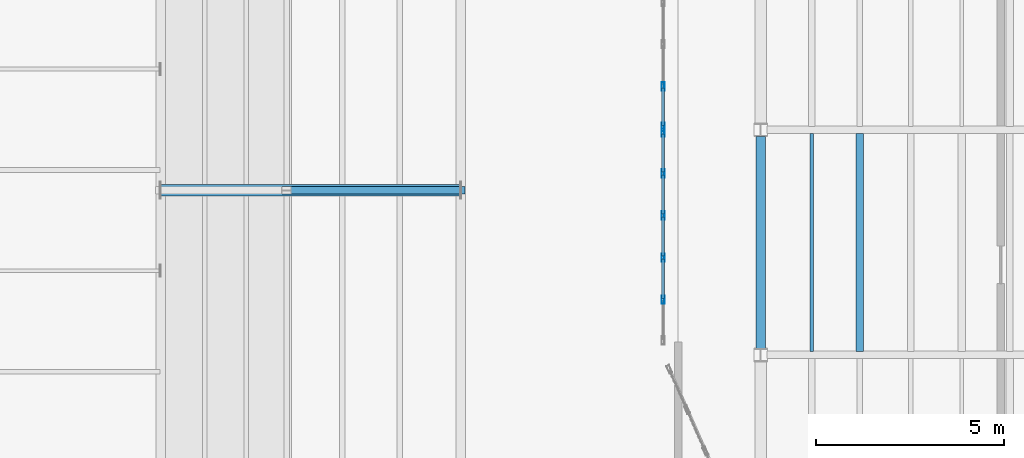
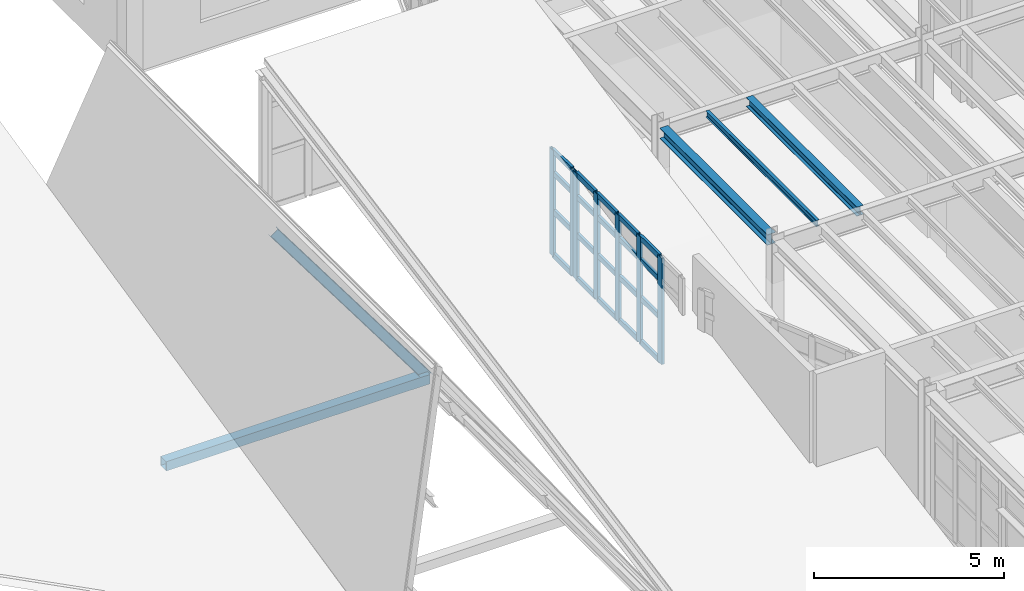
# One storey, part 32 of 77: 29 members, 3 beams, 2 elements without a shape of their own.
"""IFC4 building model written with IfcOpenShell, lengths in metres."""

from ifc_helpers import new_model, si_unit, direction, frame, origin, origin_2d, place, context, subcontext, project, spatial, hollow_rectangle, i_section, extrude, material, material_profile, profile_set, type_object, element, aggregate, save


model = new_model("IFC4")

# Units and contexts
model_context = context("Model", 3, precision=1e-05, world=origin(), true_north=direction((0.0, 1.0)))
body_context = subcontext(model_context, "Body", "Model", "MODEL_VIEW")
ifc_project = project(units=[si_unit("LENGTHUNIT", "METRE"), si_unit("AREAUNIT", "SQUARE_METRE"), si_unit("VOLUMEUNIT", "CUBIC_METRE"), si_unit("PLANEANGLEUNIT", "RADIAN"), si_unit("MASSUNIT", "GRAM", prefix="KILO"), si_unit("THERMODYNAMICTEMPERATUREUNIT", "KELVIN"), si_unit("POWERUNIT", "WATT")], contexts=[model_context])

# Site, building, storey
site_placement = place(None, origin())
site = spatial("IfcSite", under=ifc_project, at=site_placement, CompositionType="ELEMENT")
building_placement = place(site_placement, origin())
building = spatial("IfcBuilding", under=site, at=building_placement, Name="Zhenchuan Central Fire Station", CompositionType="ELEMENT")
storey_placement = place(building_placement, frame((0.0, 0.0, 10.050048828125)))
storey = spatial("IfcBuildingStorey", under=building, at=storey_placement, Name="L03", CompositionType="ELEMENT", Elevation=10.050048828125)

# Beam
ifc_material_1 = material(Name="Steel Q355B", Category="steel")
ifc_material_profile_1 = material_profile(ifc_material_1, i_section(OverallWidth=0.25, OverallDepth=0.340087890625, WebThickness=0.009033203125, FlangeThickness=0.013916015625, FilletRadius=0.01806640625, at=origin_2d()), Name="HM 340x250")
ifc_profile_set_1 = profile_set([ifc_material_profile_1], Name="Steel Q355B")
beam_type_1 = type_object("IfcBeamType", Name="BM-HM340", PredefinedType="BEAM", material=ifc_profile_set_1)
beam_1_placement = place(storey_placement, frame((140.0, 22.675048828125, 3.829833984375), z_axis=(0.0, 1.0, 0.0), x_axis=(-1.0, 0.0, 0.0)))
element("IfcBeam", 1, at=beam_1_placement, inside=storey, type_object=beam_type_1, Name="L04 Girder NS 0405", PredefinedType="BEAM", context=body_context, shape_type="SweptSolid", body=[
    extrude(i_section(OverallWidth=0.25, OverallDepth=0.340087890625, WebThickness=0.009033203125, FlangeThickness=0.013916015625, FilletRadius=0.01806640625, at=origin_2d()), origin(), (0.0, 0.0, 1.0), 5.64990234375),
])

# Curtain wall, members
ifc_material_2 = material(Name="Anodised aluminium and low-E glazing", Category="aluminium")
curtain_wall_type_1 = type_object("IfcCurtainWallType", Name="CW-MOD-16", PredefinedType="USERDEFINED", material=ifc_material_2)
curtain_wall_1_placement = place(storey_placement, origin())
curtain_wall_1 = element("IfcCurtainWall", 2, at=curtain_wall_1_placement, inside=storey, type_object=curtain_wall_type_1, Name="L03 Unitised Curtain Wall 119", ObjectType="UNITISED GLAZING", PredefinedType="USERDEFINED")
ifc_material_3 = material(Name="Anodised aluminium EN AW-6063", Category="aluminium")
ifc_material_profile_2 = material_profile(ifc_material_3, hollow_rectangle(XDim=0.080078125, YDim=0.219970703125, WallThickness=0.005615234375, at=origin_2d()), Name="ALU-M 220x80")
ifc_profile_set_2 = profile_set([ifc_material_profile_2], Name="Anodised aluminium EN AW-6063")
member_type_1 = type_object("IfcMemberType", Name="CW-MUL200", PredefinedType="MULLION", material=ifc_profile_set_2)
member_1_placement = place(storey_placement, frame((137.39990234375, 23.972412109375, -0.004150390625), z_axis=(0.0, 0.0, 1.0), x_axis=(-1.0, 0.0, 0.0)))
member_1 = element("IfcMember", 3, at=member_1_placement, type_object=member_type_1, Name="CW-16 mullion 2", PredefinedType="MULLION", context=body_context, shape_type="SweptSolid", body=[
    extrude(hollow_rectangle(XDim=0.080078125, YDim=0.219970703125, WallThickness=0.005615234375, at=origin_2d()), origin(), (0.0, 0.0, 1.0), 3.404052734375),
])
member_2_placement = place(storey_placement, frame((137.39990234375, 25.0947265625, -0.004150390625), z_axis=(0.0, 0.0, 1.0), x_axis=(-1.0, 0.0, 0.0)))
member_2 = element("IfcMember", 4, at=member_2_placement, type_object=member_type_1, Name="CW-16 mullion 3", PredefinedType="MULLION", context=body_context, shape_type="SweptSolid", body=[
    extrude(hollow_rectangle(XDim=0.080078125, YDim=0.219970703125, WallThickness=0.005615234375, at=origin_2d()), origin(), (0.0, 0.0, 1.0), 3.404052734375),
])
member_3_placement = place(storey_placement, frame((137.39990234375, 26.21728515625, -0.004150390625), z_axis=(0.0, 0.0, 1.0), x_axis=(-1.0, 0.0, 0.0)))
member_3 = element("IfcMember", 5, at=member_3_placement, type_object=member_type_1, Name="CW-16 mullion 4", PredefinedType="MULLION", context=body_context, shape_type="SweptSolid", body=[
    extrude(hollow_rectangle(XDim=0.080078125, YDim=0.219970703125, WallThickness=0.005615234375, at=origin_2d()), origin(), (0.0, 0.0, 1.0), 3.404052734375),
])
member_4_placement = place(storey_placement, frame((137.39990234375, 27.339599609375, -0.004150390625), z_axis=(0.0, 0.0, 1.0), x_axis=(-1.0, 0.0, 0.0)))
member_4 = element("IfcMember", 6, at=member_4_placement, type_object=member_type_1, Name="CW-16 mullion 5", PredefinedType="MULLION", context=body_context, shape_type="SweptSolid", body=[
    extrude(hollow_rectangle(XDim=0.080078125, YDim=0.219970703125, WallThickness=0.005615234375, at=origin_2d()), origin(), (0.0, 0.0, 1.0), 3.404052734375),
])
member_5_placement = place(storey_placement, frame((137.39990234375, 28.424560546875, -0.004150390625), z_axis=(0.0, 0.0, 1.0), x_axis=(-1.0, 0.0, 0.0)))
member_5 = element("IfcMember", 7, at=member_5_placement, type_object=member_type_1, Name="CW-16 mullion 6", PredefinedType="MULLION", context=body_context, shape_type="SweptSolid", body=[
    extrude(hollow_rectangle(XDim=0.080078125, YDim=0.219970703125, WallThickness=0.005615234375, at=origin_2d()), origin(), (0.0, 0.0, 1.0), 3.404052734375),
])

curtain_wall_type_2 = type_object("IfcCurtainWallType", Name="CW-MOD-17", PredefinedType="USERDEFINED", material=ifc_material_2)
curtain_wall_2_placement = place(storey_placement, origin())
curtain_wall_2 = element("IfcCurtainWall", 8, at=curtain_wall_2_placement, inside=storey, type_object=curtain_wall_type_2, Name="L03 Unitised Curtain Wall 120", ObjectType="UNITISED GLAZING", PredefinedType="USERDEFINED")
member_6_placement = place(storey_placement, frame((137.39990234375, 28.575439453125, -0.004150390625), z_axis=(0.0, 0.0, 1.0), x_axis=(-1.0, 0.0, 0.0)))
member_6 = element("IfcMember", 9, at=member_6_placement, type_object=member_type_1, Name="CW-17 mullion 1", PredefinedType="MULLION", context=body_context, shape_type="SweptSolid", body=[
    extrude(hollow_rectangle(XDim=0.080078125, YDim=0.219970703125, WallThickness=0.005615234375, at=origin_2d()), origin(), (0.0, 0.0, 1.0), 3.404052734375),
])
member_7_placement = place(storey_placement, frame((137.39990234375, 29.660400390625, -0.004150390625), z_axis=(0.0, 0.0, 1.0), x_axis=(-1.0, 0.0, 0.0)))
member_7 = element("IfcMember", 10, at=member_7_placement, type_object=member_type_1, Name="CW-17 mullion 2", PredefinedType="MULLION", context=body_context, shape_type="SweptSolid", body=[
    extrude(hollow_rectangle(XDim=0.080078125, YDim=0.219970703125, WallThickness=0.005615234375, at=origin_2d()), origin(), (0.0, 0.0, 1.0), 3.404052734375),
])

# Member
ifc_material_profile_3 = material_profile(ifc_material_3, hollow_rectangle(XDim=0.080078125, YDim=0.1650390625, WallThickness=0.0048828125, at=origin_2d()), Name="ALU-T 165x80")
ifc_profile_set_3 = profile_set([ifc_material_profile_3], Name="Anodised aluminium EN AW-6063")
member_type_2 = type_object("IfcMemberType", Name="CW-TRN150", PredefinedType="NOTDEFINED", material=ifc_profile_set_3)
member_8_placement = place(storey_placement, frame((137.39990234375, 24.010009765625, 0.033447265625), z_axis=(0.0, 1.0, 0.0), x_axis=(-1.0, 0.0, 0.0)))
member_8 = element("IfcMember", 11, at=member_8_placement, type_object=member_type_2, Name="CW-16 transom 2.1", ObjectType="TRANSOM", PredefinedType="USERDEFINED", context=body_context, shape_type="SweptSolid", body=[
    extrude(hollow_rectangle(XDim=0.080078125, YDim=0.1650390625, WallThickness=0.0048828125, at=origin_2d()), origin(), (0.0, 0.0, 1.0), 1.04736328125),
])

member_9_placement = place(storey_placement, frame((137.39990234375, 24.010009765625, 1.427978515625), z_axis=(0.0, 1.0, 0.0), x_axis=(-1.0, 0.0, 0.0)))
member_9 = element("IfcMember", 12, at=member_9_placement, type_object=member_type_2, Name="CW-16 transom 2.2", ObjectType="TRANSOM", PredefinedType="USERDEFINED", context=body_context, shape_type="SweptSolid", body=[
    extrude(hollow_rectangle(XDim=0.080078125, YDim=0.1650390625, WallThickness=0.0048828125, at=origin_2d()), origin(), (0.0, 0.0, 1.0), 1.04736328125),
])

member_10_placement = place(storey_placement, frame((137.39990234375, 24.010009765625, 2.65185546875), z_axis=(0.0, 1.0, 0.0), x_axis=(-1.0, 0.0, 0.0)))
member_10 = element("IfcMember", 13, at=member_10_placement, type_object=member_type_2, Name="CW-16 transom 2.3", ObjectType="TRANSOM", PredefinedType="USERDEFINED", context=body_context, shape_type="SweptSolid", body=[
    extrude(hollow_rectangle(XDim=0.080078125, YDim=0.1650390625, WallThickness=0.0048828125, at=origin_2d()), origin(), (0.0, 0.0, 1.0), 1.04736328125),
])

member_11_placement = place(storey_placement, frame((137.39990234375, 24.010009765625, 3.362548828125), z_axis=(0.0, 1.0, 0.0), x_axis=(-1.0, 0.0, 0.0)))
member_11 = element("IfcMember", 14, at=member_11_placement, type_object=member_type_2, Name="CW-16 transom 2.4", ObjectType="TRANSOM", PredefinedType="USERDEFINED", context=body_context, shape_type="SweptSolid", body=[
    extrude(hollow_rectangle(XDim=0.080078125, YDim=0.1650390625, WallThickness=0.0048828125, at=origin_2d()), origin(), (0.0, 0.0, 1.0), 1.04736328125),
])

member_12_placement = place(storey_placement, frame((137.39990234375, 25.13232421875, 0.033447265625), z_axis=(0.0, 1.0, 0.0), x_axis=(-1.0, 0.0, 0.0)))
member_12 = element("IfcMember", 15, at=member_12_placement, type_object=member_type_2, Name="CW-16 transom 3.1", ObjectType="TRANSOM", PredefinedType="USERDEFINED", context=body_context, shape_type="SweptSolid", body=[
    extrude(hollow_rectangle(XDim=0.080078125, YDim=0.1650390625, WallThickness=0.0048828125, at=origin_2d()), origin(), (0.0, 0.0, 1.0), 1.04736328125),
])

member_13_placement = place(storey_placement, frame((137.39990234375, 25.13232421875, 1.427978515625), z_axis=(0.0, 1.0, 0.0), x_axis=(-1.0, 0.0, 0.0)))
member_13 = element("IfcMember", 16, at=member_13_placement, type_object=member_type_2, Name="CW-16 transom 3.2", ObjectType="TRANSOM", PredefinedType="USERDEFINED", context=body_context, shape_type="SweptSolid", body=[
    extrude(hollow_rectangle(XDim=0.080078125, YDim=0.1650390625, WallThickness=0.0048828125, at=origin_2d()), origin(), (0.0, 0.0, 1.0), 1.04736328125),
])

member_14_placement = place(storey_placement, frame((137.39990234375, 25.13232421875, 2.65185546875), z_axis=(0.0, 1.0, 0.0), x_axis=(-1.0, 0.0, 0.0)))
member_14 = element("IfcMember", 17, at=member_14_placement, type_object=member_type_2, Name="CW-16 transom 3.3", ObjectType="TRANSOM", PredefinedType="USERDEFINED", context=body_context, shape_type="SweptSolid", body=[
    extrude(hollow_rectangle(XDim=0.080078125, YDim=0.1650390625, WallThickness=0.0048828125, at=origin_2d()), origin(), (0.0, 0.0, 1.0), 1.04736328125),
])

member_15_placement = place(storey_placement, frame((137.39990234375, 25.13232421875, 3.362548828125), z_axis=(0.0, 1.0, 0.0), x_axis=(-1.0, 0.0, 0.0)))
member_15 = element("IfcMember", 18, at=member_15_placement, type_object=member_type_2, Name="CW-16 transom 3.4", ObjectType="TRANSOM", PredefinedType="USERDEFINED", context=body_context, shape_type="SweptSolid", body=[
    extrude(hollow_rectangle(XDim=0.080078125, YDim=0.1650390625, WallThickness=0.0048828125, at=origin_2d()), origin(), (0.0, 0.0, 1.0), 1.04736328125),
])

member_16_placement = place(storey_placement, frame((137.39990234375, 26.254638671875, 0.033447265625), z_axis=(0.0, 1.0, 0.0), x_axis=(-1.0, 0.0, 0.0)))
member_16 = element("IfcMember", 19, at=member_16_placement, type_object=member_type_2, Name="CW-16 transom 4.1", ObjectType="TRANSOM", PredefinedType="USERDEFINED", context=body_context, shape_type="SweptSolid", body=[
    extrude(hollow_rectangle(XDim=0.080078125, YDim=0.1650390625, WallThickness=0.0048828125, at=origin_2d()), origin(), (0.0, 0.0, 1.0), 1.04736328125),
])

member_17_placement = place(storey_placement, frame((137.39990234375, 26.254638671875, 1.427978515625), z_axis=(0.0, 1.0, 0.0), x_axis=(-1.0, 0.0, 0.0)))
member_17 = element("IfcMember", 20, at=member_17_placement, type_object=member_type_2, Name="CW-16 transom 4.2", ObjectType="TRANSOM", PredefinedType="USERDEFINED", context=body_context, shape_type="SweptSolid", body=[
    extrude(hollow_rectangle(XDim=0.080078125, YDim=0.1650390625, WallThickness=0.0048828125, at=origin_2d()), origin(), (0.0, 0.0, 1.0), 1.04736328125),
])

member_18_placement = place(storey_placement, frame((137.39990234375, 26.254638671875, 2.65185546875), z_axis=(0.0, 1.0, 0.0), x_axis=(-1.0, 0.0, 0.0)))
member_18 = element("IfcMember", 21, at=member_18_placement, type_object=member_type_2, Name="CW-16 transom 4.3", ObjectType="TRANSOM", PredefinedType="USERDEFINED", context=body_context, shape_type="SweptSolid", body=[
    extrude(hollow_rectangle(XDim=0.080078125, YDim=0.1650390625, WallThickness=0.0048828125, at=origin_2d()), origin(), (0.0, 0.0, 1.0), 1.04736328125),
])

member_19_placement = place(storey_placement, frame((137.39990234375, 26.254638671875, 3.362548828125), z_axis=(0.0, 1.0, 0.0), x_axis=(-1.0, 0.0, 0.0)))
member_19 = element("IfcMember", 22, at=member_19_placement, type_object=member_type_2, Name="CW-16 transom 4.4", ObjectType="TRANSOM", PredefinedType="USERDEFINED", context=body_context, shape_type="SweptSolid", body=[
    extrude(hollow_rectangle(XDim=0.080078125, YDim=0.1650390625, WallThickness=0.0048828125, at=origin_2d()), origin(), (0.0, 0.0, 1.0), 1.04736328125),
])

member_20_placement = place(storey_placement, frame((137.39990234375, 27.377197265625, 0.033447265625), z_axis=(0.0, 1.0, 0.0), x_axis=(-1.0, 0.0, 0.0)))
member_20 = element("IfcMember", 23, at=member_20_placement, type_object=member_type_2, Name="CW-16 transom 5.1", ObjectType="TRANSOM", PredefinedType="USERDEFINED", context=body_context, shape_type="SweptSolid", body=[
    extrude(hollow_rectangle(XDim=0.080078125, YDim=0.1650390625, WallThickness=0.0048828125, at=origin_2d()), origin(), (0.0, 0.0, 1.0), 1.009765625),
])

member_21_placement = place(storey_placement, frame((137.39990234375, 27.377197265625, 1.427978515625), z_axis=(0.0, 1.0, 0.0), x_axis=(-1.0, 0.0, 0.0)))
member_21 = element("IfcMember", 24, at=member_21_placement, type_object=member_type_2, Name="CW-16 transom 5.2", ObjectType="TRANSOM", PredefinedType="USERDEFINED", context=body_context, shape_type="SweptSolid", body=[
    extrude(hollow_rectangle(XDim=0.080078125, YDim=0.1650390625, WallThickness=0.0048828125, at=origin_2d()), origin(), (0.0, 0.0, 1.0), 1.009765625),
])

member_22_placement = place(storey_placement, frame((137.39990234375, 27.377197265625, 2.65185546875), z_axis=(0.0, 1.0, 0.0), x_axis=(-1.0, 0.0, 0.0)))
member_22 = element("IfcMember", 25, at=member_22_placement, type_object=member_type_2, Name="CW-16 transom 5.3", ObjectType="TRANSOM", PredefinedType="USERDEFINED", context=body_context, shape_type="SweptSolid", body=[
    extrude(hollow_rectangle(XDim=0.080078125, YDim=0.1650390625, WallThickness=0.0048828125, at=origin_2d()), origin(), (0.0, 0.0, 1.0), 1.009765625),
])

member_23_placement = place(storey_placement, frame((137.39990234375, 27.377197265625, 3.362548828125), z_axis=(0.0, 1.0, 0.0), x_axis=(-1.0, 0.0, 0.0)))
member_23 = element("IfcMember", 26, at=member_23_placement, type_object=member_type_2, Name="CW-16 transom 5.4", ObjectType="TRANSOM", PredefinedType="USERDEFINED", context=body_context, shape_type="SweptSolid", body=[
    extrude(hollow_rectangle(XDim=0.080078125, YDim=0.1650390625, WallThickness=0.0048828125, at=origin_2d()), origin(), (0.0, 0.0, 1.0), 1.009765625),
])

aggregate(curtain_wall_1, [member_1, member_2, member_3, member_4, member_5, member_8, member_9, member_10, member_11, member_12, member_13, member_14, member_15, member_16, member_17, member_18, member_19, member_20, member_21, member_22, member_23])

member_24_placement = place(storey_placement, frame((137.39990234375, 28.613037109375, 0.033447265625), z_axis=(0.0, 1.0, 0.0), x_axis=(-1.0, 0.0, 0.0)))
member_24 = element("IfcMember", 27, at=member_24_placement, type_object=member_type_2, Name="CW-17 transom 1.1", ObjectType="TRANSOM", PredefinedType="USERDEFINED", context=body_context, shape_type="SweptSolid", body=[
    extrude(hollow_rectangle(XDim=0.080078125, YDim=0.1650390625, WallThickness=0.0048828125, at=origin_2d()), origin(), (0.0, 0.0, 1.0), 1.009765625),
])

member_25_placement = place(storey_placement, frame((137.39990234375, 28.613037109375, 1.427978515625), z_axis=(0.0, 1.0, 0.0), x_axis=(-1.0, 0.0, 0.0)))
member_25 = element("IfcMember", 28, at=member_25_placement, type_object=member_type_2, Name="CW-17 transom 1.2", ObjectType="TRANSOM", PredefinedType="USERDEFINED", context=body_context, shape_type="SweptSolid", body=[
    extrude(hollow_rectangle(XDim=0.080078125, YDim=0.1650390625, WallThickness=0.0048828125, at=origin_2d()), origin(), (0.0, 0.0, 1.0), 1.009765625),
])

member_26_placement = place(storey_placement, frame((137.39990234375, 28.613037109375, 2.65185546875), z_axis=(0.0, 1.0, 0.0), x_axis=(-1.0, 0.0, 0.0)))
member_26 = element("IfcMember", 29, at=member_26_placement, type_object=member_type_2, Name="CW-17 transom 1.3", ObjectType="TRANSOM", PredefinedType="USERDEFINED", context=body_context, shape_type="SweptSolid", body=[
    extrude(hollow_rectangle(XDim=0.080078125, YDim=0.1650390625, WallThickness=0.0048828125, at=origin_2d()), origin(), (0.0, 0.0, 1.0), 1.009765625),
])

member_27_placement = place(storey_placement, frame((137.39990234375, 28.613037109375, 3.362548828125), z_axis=(0.0, 1.0, 0.0), x_axis=(-1.0, 0.0, 0.0)))
member_27 = element("IfcMember", 30, at=member_27_placement, type_object=member_type_2, Name="CW-17 transom 1.4", ObjectType="TRANSOM", PredefinedType="USERDEFINED", context=body_context, shape_type="SweptSolid", body=[
    extrude(hollow_rectangle(XDim=0.080078125, YDim=0.1650390625, WallThickness=0.0048828125, at=origin_2d()), origin(), (0.0, 0.0, 1.0), 1.009765625),
])

aggregate(curtain_wall_2, [member_6, member_7, member_24, member_25, member_26, member_27])

# Beams
ifc_material_profile_4 = material_profile(ifc_material_1, i_section(OverallWidth=0.199951171875, OverallDepth=0.2939453125, WebThickness=0.008056640625, FlangeThickness=0.011962890625, FilletRadius=0.01611328125, at=origin_2d()), Name="HM 294x200")
ifc_profile_set_4 = profile_set([ifc_material_profile_4], Name="Steel Q355B")
beam_type_2 = type_object("IfcBeamType", Name="JS-HM294", PredefinedType="JOIST", material=ifc_profile_set_4)
beam_2_placement = place(storey_placement, frame((142.639892578125, 22.596923828125, 3.85302734375), z_axis=(0.0, 1.0, 0.0), x_axis=(-1.0, 0.0, 0.0)))
element("IfcBeam", 31, at=beam_2_placement, inside=storey, type_object=beam_type_2, Name="L04 Secondary Joist 0601", PredefinedType="JOIST", context=body_context, shape_type="SweptSolid", body=[
    extrude(i_section(OverallWidth=0.199951171875, OverallDepth=0.2939453125, WebThickness=0.008056640625, FlangeThickness=0.011962890625, FilletRadius=0.01611328125, at=origin_2d()), origin(), (0.0, 0.0, 1.0), 5.80615234375),
])
ifc_material_profile_5 = material_profile(ifc_material_1, i_section(OverallWidth=0.10009765625, OverallDepth=0.199951171875, WebThickness=0.005615234375, FlangeThickness=0.008056640625, FilletRadius=0.010986328125, at=origin_2d()), Name="HN 200x100")
ifc_profile_set_5 = profile_set([ifc_material_profile_5], Name="Steel Q355B")
beam_type_3 = type_object("IfcBeamType", Name="JS-HN200", PredefinedType="JOIST", material=ifc_profile_set_5)
beam_3_placement = place(storey_placement, frame((141.360107421875, 22.596923828125, 3.89990234375), z_axis=(0.0, 1.0, 0.0), x_axis=(-1.0, 0.0, 0.0)))
element("IfcBeam", 32, at=beam_3_placement, inside=storey, type_object=beam_type_3, Name="L04 Secondary Joist 0600", PredefinedType="JOIST", context=body_context, shape_type="SweptSolid", body=[
    extrude(i_section(OverallWidth=0.10009765625, OverallDepth=0.199951171875, WebThickness=0.005615234375, FlangeThickness=0.008056640625, FilletRadius=0.010986328125, at=origin_2d()), origin(), (0.0, 0.0, 1.0), 5.80615234375),
])

# Members
ifc_material_profile_6 = material_profile(ifc_material_1, hollow_rectangle(XDim=0.300048828125, YDim=0.300048828125, WallThickness=0.011962890625, at=origin_2d()), Name="SHS 300x300x12")
ifc_profile_set_6 = profile_set([ifc_material_profile_6], Name="Steel Q355B")
member_type_3 = type_object("IfcMemberType", Name="MB-PS-HW250", PredefinedType="POST", material=ifc_profile_set_6)
member_28_placement = place(storey_placement, frame((124.0, 26.889892578125, -0.330078125), z_axis=(1.0, 0.0, 0.0), x_axis=(0.0, 1.0, 0.0)))
element("IfcMember", 33, at=member_28_placement, inside=storey, type_object=member_type_3, Name="Pavilion H09 Gable Bottom Chord 3", PredefinedType="CHORD", context=body_context, shape_type="SweptSolid", body=[
    extrude(hollow_rectangle(XDim=0.300048828125, YDim=0.300048828125, WallThickness=0.011962890625, at=origin_2d()), origin(), (0.0, 0.0, 1.0), 8.0),
])
ifc_material_profile_7 = material_profile(ifc_material_1, i_section(OverallWidth=0.199951171875, OverallDepth=0.2939453125, WebThickness=0.008056640625, FlangeThickness=0.011962890625, FilletRadius=0.01611328125, at=origin_2d()), Name="HM 294x200")
ifc_profile_set_7 = profile_set([ifc_material_profile_7], Name="Steel Q355B")
member_type_4 = type_object("IfcMemberType", Name="MB-RF-HM294", PredefinedType="RAFTER", material=ifc_profile_set_7)
member_29_placement = place(storey_placement, frame((127.360107421875, 26.889892578125, 5.897705078125), z_axis=(0.597446839201, 0.0, -0.801908519925), x_axis=(0.0, 1.0, 0.0)))
element("IfcMember", 34, at=member_29_placement, inside=storey, type_object=member_type_4, Name="Pavilion H09 East Gable Rafter 3", PredefinedType="RAFTER", context=body_context, shape_type="SweptSolid", body=[
    extrude(i_section(OverallWidth=0.199951171875, OverallDepth=0.2939453125, WebThickness=0.008056640625, FlangeThickness=0.011962890625, FilletRadius=0.01611328125, at=origin_2d()), origin(), (0.0, 0.0, 1.0), 7.76611328125),
])

save(model, "model.ifc")
